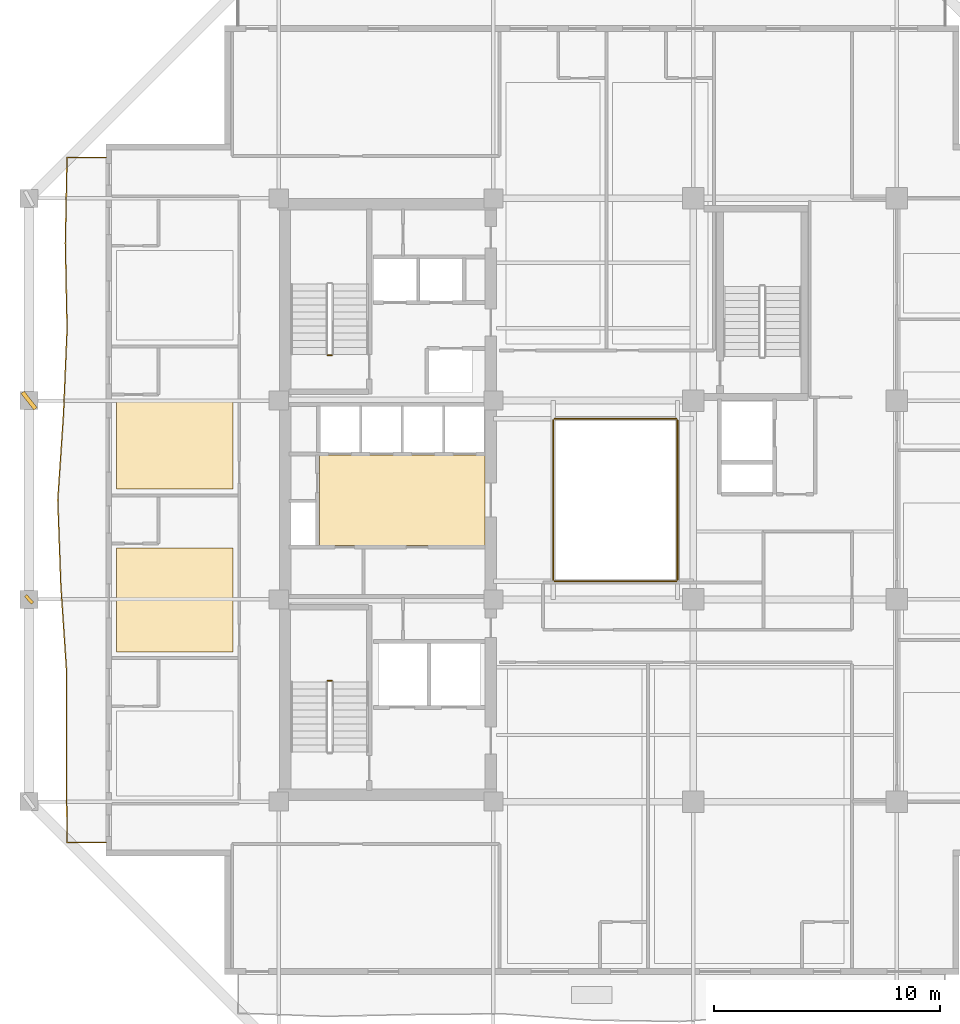
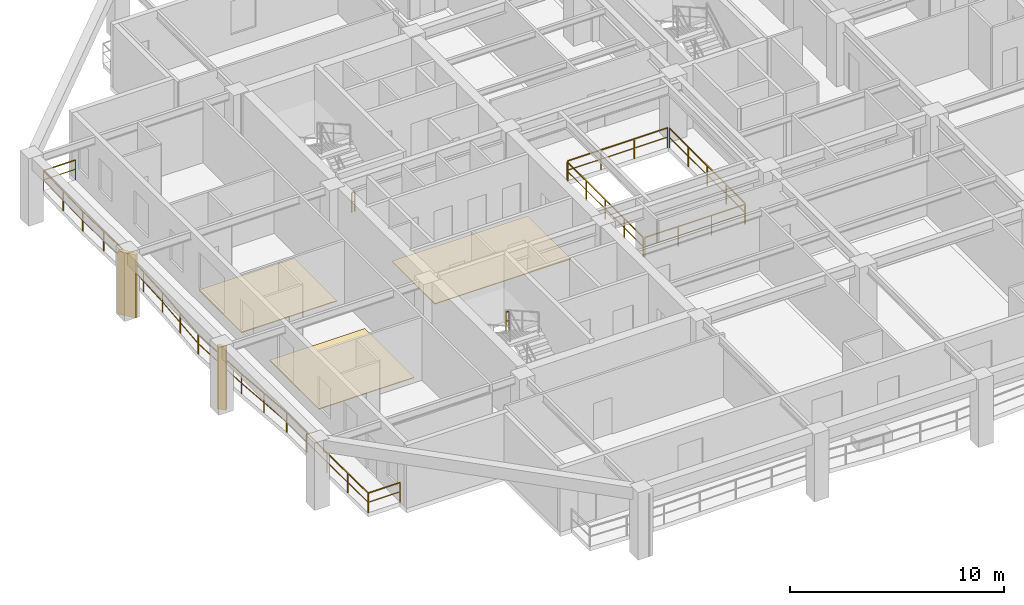
# One storey, part 9 of 13: 7 railings, 3 coverings, 2 shading devices.
"""IFC4 building model written with IfcOpenShell, lengths in metres."""

from ifc_helpers import new_model, si_unit, direction, frame, origin, origin_2d, place, context, subcontext, project, spatial, polyline, rectangle, outline, extrude, material, layer, layer_set, type_object, element, save


model = new_model("IFC4")

# Units and contexts
model_context = context("Model", 3, precision=1e-05, world=origin(), true_north=direction((0.0, 1.0)))
body_context = subcontext(model_context, "Body", "Model", "MODEL_VIEW")
ifc_project = project(units=[si_unit("LENGTHUNIT", "METRE"), si_unit("AREAUNIT", "SQUARE_METRE"), si_unit("VOLUMEUNIT", "CUBIC_METRE"), si_unit("PLANEANGLEUNIT", "RADIAN"), si_unit("MASSUNIT", "GRAM", prefix="KILO")], contexts=[model_context])

# Site, building, storey
site_placement = place(None, origin())
site = spatial("IfcSite", under=ifc_project, at=site_placement, CompositionType="ELEMENT")
building_placement = place(site_placement, origin())
building = spatial("IfcBuilding", under=site, at=building_placement, Name="Kundavana Baori Tower", CompositionType="ELEMENT")
storey_placement = place(building_placement, frame((0.0, 0.0, 169.449951171875)))
storey = spatial("IfcBuildingStorey", under=building, at=storey_placement, Name="L41", CompositionType="ELEMENT", Elevation=169.449951171875)

# Coverings
ifc_material_1 = material(Name="Honed Kota Stone and Terrazzo Flooring", Category="masonry")
ifc_layer = layer(ifc_material_1, 0.0400390625, Name="COV-FLR-TERR-40")
ifc_layer_set = layer_set([ifc_layer], Name="Honed Kota Stone and Terrazzo Flooring")
covering_type = type_object("IfcCoveringType", Name="COV-FLR-TERR-40", PredefinedType="FLOORING", material=ifc_layer_set)
covering_1_placement = place(storey_placement, origin())
element("IfcCovering", 1, at=covering_1_placement, inside=storey, type_object=covering_type, Name="L41 Room Finished Stone Flooring 2", PredefinedType="FLOORING", context=body_context, shape_type="SweptSolid", body=[
    extrude(outline(polyline([(8.280029296875, 21.8798828125), (13.419921875, 21.8798828125), (13.419921875, 26.469970703125), (8.280029296875, 26.469970703125), (8.280029296875, 21.8798828125)])), origin(), (0.0, 0.0, 1.0), 0.0400390625),
])
covering_2_placement = place(storey_placement, origin())
element("IfcCovering", 2, at=covering_2_placement, inside=storey, type_object=covering_type, Name="L41 Room Finished Stone Flooring 3", PredefinedType="FLOORING", context=body_context, shape_type="SweptSolid", body=[
    extrude(outline(polyline([(8.280029296875, 29.080078125), (13.419921875, 29.080078125), (13.419921875, 33.070068359375), (8.280029296875, 33.070068359375), (8.280029296875, 29.080078125)])), origin(), (0.0, 0.0, 1.0), 0.0400390625),
])
covering_3_placement = place(storey_placement, origin())
element("IfcCovering", 3, at=covering_3_placement, inside=storey, type_object=covering_type, Name="L41 Core Lift Lobby Kota Stone Flooring", PredefinedType="FLOORING", context=body_context, shape_type="SweptSolid", body=[
    extrude(outline(polyline([(17.25, 26.580078125), (24.580078125, 26.580078125), (24.580078125, 30.60009765625), (17.25, 30.60009765625), (17.25, 26.580078125)])), origin(), (0.0, 0.0, 1.0), 0.0400390625),
])

# Railings
ifc_material_2 = material(Name="Architectural Patinated Bronze Metalwork")
railing_type_1 = type_object("IfcRailingType", Name="RL-BAL-1150", PredefinedType="BALUSTRADE", material=ifc_material_2)
railing_1_placement = place(storey_placement, frame((7.800048828125, 13.449951171875, 0.0)))
element("IfcRailing", 4, at=railing_1_placement, inside=storey, type_object=railing_type_1, Name="L41 Loggia Balcony Balustrade W", PredefinedType="BALUSTRADE", context=body_context, shape_type="SweptSolid", body=[
    extrude(rectangle(XDim=0.048095703125, YDim=0.048095703125, at=origin_2d()), frame((0.0, 0.0, 1.1259765625), z_axis=(-1.0, 0.0, 0.0), x_axis=(0.0, -1.0, 0.0)), (0.0, 0.0, 1.0), 1.719970703125),
    extrude(rectangle(XDim=0.03125, YDim=0.03125, at=origin_2d()), frame((0.0, 0.0, 0.597900390625), z_axis=(-1.0, 0.0, 0.0), x_axis=(0.0, -1.0, 0.0)), (0.0, 0.0, 1.0), 1.719970703125),
    extrude(rectangle(XDim=0.048095703125, YDim=0.048095703125, at=origin_2d()), frame((-1.719970703125, 0.0, 1.1259765625), z_axis=(-0.008184825082, 0.999966503758, 0.0), x_axis=(-0.999966503758, -0.008184825082, 0.0)), (0.0, 0.0, 1.0), 3.788330078125),
    extrude(rectangle(XDim=0.03125, YDim=0.03125, at=origin_2d()), frame((-1.719970703125, 0.0, 0.597900390625), z_axis=(-0.008184825082, 0.999966503758, 0.0), x_axis=(-0.999966503758, -0.008184825082, 0.0)), (0.0, 0.0, 1.0), 3.788330078125),
    extrude(rectangle(XDim=0.048095703125, YDim=0.048095703125, at=origin_2d()), frame((-1.7509765625, 3.7880859375, 1.1259765625), z_axis=(0.00238539712, 0.999997154936, 0.0), x_axis=(-0.999997154936, 0.00238539712, 0.0)), (0.0, 0.0, 1.0), 3.786865234375),
    extrude(rectangle(XDim=0.03125, YDim=0.03125, at=origin_2d()), frame((-1.7509765625, 3.7880859375, 0.597900390625), z_axis=(0.00238539712, 0.999997154936, 0.0), x_axis=(-0.999997154936, 0.00238539712, 0.0)), (0.0, 0.0, 1.0), 3.786865234375),
    extrude(rectangle(XDim=0.048095703125, YDim=0.048095703125, at=origin_2d()), frame((-1.741943359375, 7.574951171875, 1.1259765625), z_axis=(-0.066446432666, 0.997789993729, 0.0), x_axis=(-0.997789993729, -0.066446432666, 0.0)), (0.0, 0.0, 1.0), 3.79541015625),
    extrude(rectangle(XDim=0.03125, YDim=0.03125, at=origin_2d()), frame((-1.741943359375, 7.574951171875, 0.597900390625), z_axis=(-0.066446432666, 0.997789993729, 0.0), x_axis=(-0.997789993729, -0.066446432666, 0.0)), (0.0, 0.0, 1.0), 3.79541015625),
    extrude(rectangle(XDim=0.048095703125, YDim=0.048095703125, at=origin_2d()), frame((-1.994140625, 11.362060546875, 1.1259765625), z_axis=(-0.035875318663, 0.999356273564, 0.0), x_axis=(-0.999356273564, -0.035875318663, 0.0)), (0.0, 0.0, 1.0), 3.79052734375),
    extrude(rectangle(XDim=0.03125, YDim=0.03125, at=origin_2d()), frame((-1.994140625, 11.362060546875, 0.597900390625), z_axis=(-0.035875318663, 0.999356273564, 0.0), x_axis=(-0.999356273564, -0.035875318663, 0.0)), (0.0, 0.0, 1.0), 3.79052734375),
    extrude(rectangle(XDim=0.048095703125, YDim=0.048095703125, at=origin_2d()), frame((-2.130126953125, 15.150146484375, 1.1259765625), z_axis=(0.06643364121, 0.997790845476, 0.0), x_axis=(-0.997790845476, 0.06643364121, 0.0)), (0.0, 0.0, 1.0), 3.796142578125),
    extrude(rectangle(XDim=0.03125, YDim=0.03125, at=origin_2d()), frame((-2.130126953125, 15.150146484375, 0.597900390625), z_axis=(0.06643364121, 0.997790845476, 0.0), x_axis=(-0.997790845476, 0.06643364121, 0.0)), (0.0, 0.0, 1.0), 3.796142578125),
    extrude(rectangle(XDim=0.048095703125, YDim=0.048095703125, at=origin_2d()), frame((-1.8779296875, 18.93798828125, 1.1259765625), z_axis=(0.041673410399, 0.999131286101, 0.0), x_axis=(-0.999131286101, 0.041673410399, 0.0)), (0.0, 0.0, 1.0), 3.790283203125),
    extrude(rectangle(XDim=0.03125, YDim=0.03125, at=origin_2d()), frame((-1.8779296875, 18.93798828125, 0.597900390625), z_axis=(0.041673410399, 0.999131286101, 0.0), x_axis=(-0.999131286101, 0.041673410399, 0.0)), (0.0, 0.0, 1.0), 3.790283203125),
    extrude(rectangle(XDim=0.048095703125, YDim=0.048095703125, at=origin_2d()), frame((-1.719970703125, 22.72509765625, 1.1259765625), z_axis=(-0.020110689253, 0.999797759638, 0.0), x_axis=(-0.999797759638, -0.020110689253, 0.0)), (0.0, 0.0, 1.0), 3.78759765625),
    extrude(rectangle(XDim=0.03125, YDim=0.03125, at=origin_2d()), frame((-1.719970703125, 22.72509765625, 0.597900390625), z_axis=(-0.020110689253, 0.999797759638, 0.0), x_axis=(-0.999797759638, -0.020110689253, 0.0)), (0.0, 0.0, 1.0), 3.78759765625),
    extrude(rectangle(XDim=0.048095703125, YDim=0.048095703125, at=origin_2d()), frame((-1.796142578125, 26.511962890625, 1.1259765625), z_axis=(0.020104211244, 0.999797889921, 0.0), x_axis=(-0.999797889921, 0.020104211244, 0.0)), (0.0, 0.0, 1.0), 3.788818359375),
    extrude(rectangle(XDim=0.03125, YDim=0.03125, at=origin_2d()), frame((-1.796142578125, 26.511962890625, 0.597900390625), z_axis=(0.020104211244, 0.999797889921, 0.0), x_axis=(-0.999797889921, 0.020104211244, 0.0)), (0.0, 0.0, 1.0), 3.788818359375),
    extrude(rectangle(XDim=0.048095703125, YDim=0.048095703125, at=origin_2d()), frame((-1.719970703125, 30.300048828125, 1.1259765625), z_axis=(1.0, 0.0, 0.0), x_axis=(0.0, 1.0, 0.0)), (0.0, 0.0, 1.0), 1.719970703125),
    extrude(rectangle(XDim=0.03125, YDim=0.03125, at=origin_2d()), frame((-1.719970703125, 30.300048828125, 0.597900390625), z_axis=(1.0, 0.0, 0.0), x_axis=(0.0, 1.0, 0.0)), (0.0, 0.0, 1.0), 1.719970703125),
    extrude(rectangle(XDim=0.0419921875, YDim=0.0419921875, at=origin_2d()), origin(), (0.0, 0.0, 1.0), 1.101806640625),
    extrude(rectangle(XDim=0.0419921875, YDim=0.0419921875, at=origin_2d()), frame((-1.719970703125, 0.0, 0.0)), (0.0, 0.0, 1.0), 1.101806640625),
    extrude(rectangle(XDim=0.0419921875, YDim=0.0419921875, at=origin_2d()), frame((-1.7353515625, 1.89404296875, 0.0)), (0.0, 0.0, 1.0), 1.101806640625),
    extrude(rectangle(XDim=0.0419921875, YDim=0.0419921875, at=origin_2d()), frame((-1.7509765625, 3.7880859375, 0.0)), (0.0, 0.0, 1.0), 1.101806640625),
    extrude(rectangle(XDim=0.0419921875, YDim=0.0419921875, at=origin_2d()), frame((-1.74658203125, 5.681640625, 0.0)), (0.0, 0.0, 1.0), 1.101806640625),
    extrude(rectangle(XDim=0.0419921875, YDim=0.0419921875, at=origin_2d()), frame((-1.741943359375, 7.574951171875, 0.0)), (0.0, 0.0, 1.0), 1.101806640625),
    extrude(rectangle(XDim=0.0419921875, YDim=0.0419921875, at=origin_2d()), frame((-1.8681640625, 9.468505859375, 0.0)), (0.0, 0.0, 1.0), 1.101806640625),
    extrude(rectangle(XDim=0.0419921875, YDim=0.0419921875, at=origin_2d()), frame((-1.994140625, 11.362060546875, 0.0)), (0.0, 0.0, 1.0), 1.101806640625),
    extrude(rectangle(XDim=0.0419921875, YDim=0.0419921875, at=origin_2d()), frame((-2.06201171875, 13.256103515625, 0.0)), (0.0, 0.0, 1.0), 1.101806640625),
    extrude(rectangle(XDim=0.0419921875, YDim=0.0419921875, at=origin_2d()), frame((-2.130126953125, 15.150146484375, 0.0)), (0.0, 0.0, 1.0), 1.101806640625),
    extrude(rectangle(XDim=0.0419921875, YDim=0.0419921875, at=origin_2d()), frame((-2.00390625, 17.0439453125, 0.0)), (0.0, 0.0, 1.0), 1.101806640625),
    extrude(rectangle(XDim=0.0419921875, YDim=0.0419921875, at=origin_2d()), frame((-1.8779296875, 18.93798828125, 0.0)), (0.0, 0.0, 1.0), 1.101806640625),
    extrude(rectangle(XDim=0.0419921875, YDim=0.0419921875, at=origin_2d()), frame((-1.798828125, 20.83154296875, 0.0)), (0.0, 0.0, 1.0), 1.101806640625),
    extrude(rectangle(XDim=0.0419921875, YDim=0.0419921875, at=origin_2d()), frame((-1.719970703125, 22.72509765625, 0.0)), (0.0, 0.0, 1.0), 1.101806640625),
    extrude(rectangle(XDim=0.0419921875, YDim=0.0419921875, at=origin_2d()), frame((-1.758056640625, 24.61865234375, 0.0)), (0.0, 0.0, 1.0), 1.101806640625),
    extrude(rectangle(XDim=0.0419921875, YDim=0.0419921875, at=origin_2d()), frame((-1.796142578125, 26.511962890625, 0.0)), (0.0, 0.0, 1.0), 1.101806640625),
    extrude(rectangle(XDim=0.0419921875, YDim=0.0419921875, at=origin_2d()), frame((-1.758056640625, 28.406005859375, 0.0)), (0.0, 0.0, 1.0), 1.101806640625),
    extrude(rectangle(XDim=0.0419921875, YDim=0.0419921875, at=origin_2d()), frame((-1.719970703125, 30.300048828125, 0.0)), (0.0, 0.0, 1.0), 1.101806640625),
    extrude(rectangle(XDim=0.0419921875, YDim=0.0419921875, at=origin_2d()), frame((0.0, 30.300048828125, 0.0)), (0.0, 0.0, 1.0), 1.101806640625),
])
ifc_material_3 = material(Name="Architectural Patinated Bronze Metalwork")
railing_type_2 = type_object("IfcRailingType", Name="RL-GRD-1150", PredefinedType="GUARDRAIL", material=ifc_material_3)
for number, where, name in (
    (5, (17.7900390625, 20.60009765625, 1.925048828125), "L41 ST1 stair guard 2"),
    (6, (17.7900390625, 35.0, 0.0), "L41 ST2 stair guard 4"),
):
    element("IfcRailing", number, at=place(storey_placement, frame(where)), inside=storey, type_object=railing_type_2, Name=name, PredefinedType="GUARDRAIL", context=body_context, shape_type="SweptSolid", body=[
        extrude(rectangle(XDim=0.048095703125, YDim=0.048095703125, at=origin_2d()), frame((0.0, 0.0, 1.1259765625), z_axis=(-1.0, 0.0, 0.0), x_axis=(0.0, -1.0, 0.0)), (0.0, 0.0, 1.0), 0.16015625),
        extrude(rectangle(XDim=0.03125, YDim=0.03125, at=origin_2d()), frame((0.0, 0.0, 0.597900390625), z_axis=(-1.0, 0.0, 0.0), x_axis=(0.0, -1.0, 0.0)), (0.0, 0.0, 1.0), 0.16015625),
        extrude(rectangle(XDim=0.0419921875, YDim=0.0419921875, at=origin_2d()), origin(), (0.0, 0.0, 1.0), 1.101806640625),
        extrude(rectangle(XDim=0.0419921875, YDim=0.0419921875, at=origin_2d()), frame((-0.16015625, 0.0, 0.0)), (0.0, 0.0, 1.0), 1.101806640625),
    ])
railing_2_placement = place(storey_placement, frame((27.659912109375, 25.0, 0.0)))
element("IfcRailing", 7, at=railing_2_placement, inside=storey, type_object=railing_type_2, Name="L41 Atrium Void Perimeter Guardrail S", PredefinedType="GUARDRAIL", context=body_context, shape_type="SweptSolid", body=[
    extrude(rectangle(XDim=0.048095703125, YDim=0.048095703125, at=origin_2d()), frame((0.0, 0.0, 1.1259765625), z_axis=(1.0, 0.0, 0.0), x_axis=(0.0, 1.0, 0.0)), (0.0, 0.0, 1.0), 5.380126953125),
    extrude(rectangle(XDim=0.03125, YDim=0.03125, at=origin_2d()), frame((0.0, 0.0, 0.597900390625), z_axis=(1.0, 0.0, 0.0), x_axis=(0.0, 1.0, 0.0)), (0.0, 0.0, 1.0), 5.380126953125),
    extrude(rectangle(XDim=0.0419921875, YDim=0.0419921875, at=origin_2d()), origin(), (0.0, 0.0, 1.0), 1.101806640625),
    extrude(rectangle(XDim=0.0419921875, YDim=0.0419921875, at=origin_2d()), frame((1.79345703125, 0.0, 0.0)), (0.0, 0.0, 1.0), 1.101806640625),
    extrude(rectangle(XDim=0.0419921875, YDim=0.0419921875, at=origin_2d()), frame((3.586669921875, 0.0, 0.0)), (0.0, 0.0, 1.0), 1.101806640625),
    extrude(rectangle(XDim=0.0419921875, YDim=0.0419921875, at=origin_2d()), frame((5.380126953125, 0.0, 0.0)), (0.0, 0.0, 1.0), 1.101806640625),
])
railing_3_placement = place(storey_placement, frame((33.10009765625, 25.06005859375, 0.0)))
element("IfcRailing", 8, at=railing_3_placement, inside=storey, type_object=railing_type_2, Name="L41 Atrium Void Perimeter Guardrail E", PredefinedType="GUARDRAIL", context=body_context, shape_type="SweptSolid", body=[
    extrude(rectangle(XDim=0.048095703125, YDim=0.048095703125, at=origin_2d()), frame((0.0, 0.0, 1.1259765625), z_axis=(0.0, 1.0, 0.0), x_axis=(-1.0, 0.0, 0.0)), (0.0, 0.0, 1.0), 7.079833984375),
    extrude(rectangle(XDim=0.03125, YDim=0.03125, at=origin_2d()), frame((0.0, 0.0, 0.597900390625), z_axis=(0.0, 1.0, 0.0), x_axis=(-1.0, 0.0, 0.0)), (0.0, 0.0, 1.0), 7.079833984375),
    extrude(rectangle(XDim=0.0419921875, YDim=0.0419921875, at=origin_2d()), origin(), (0.0, 0.0, 1.0), 1.101806640625),
    extrude(rectangle(XDim=0.0419921875, YDim=0.0419921875, at=origin_2d()), frame((0.0, 1.77001953125, 0.0)), (0.0, 0.0, 1.0), 1.101806640625),
    extrude(rectangle(XDim=0.0419921875, YDim=0.0419921875, at=origin_2d()), frame((0.0, 3.5400390625, 0.0)), (0.0, 0.0, 1.0), 1.101806640625),
    extrude(rectangle(XDim=0.0419921875, YDim=0.0419921875, at=origin_2d()), frame((0.0, 5.309814453125, 0.0)), (0.0, 0.0, 1.0), 1.101806640625),
    extrude(rectangle(XDim=0.0419921875, YDim=0.0419921875, at=origin_2d()), frame((0.0, 7.079833984375, 0.0)), (0.0, 0.0, 1.0), 1.101806640625),
])
railing_4_placement = place(storey_placement, frame((33.0400390625, 32.199951171875, 0.0)))
element("IfcRailing", 9, at=railing_4_placement, inside=storey, type_object=railing_type_2, Name="L41 Atrium Void Perimeter Guardrail N", PredefinedType="GUARDRAIL", context=body_context, shape_type="SweptSolid", body=[
    extrude(rectangle(XDim=0.048095703125, YDim=0.048095703125, at=origin_2d()), frame((0.0, 0.0, 1.1259765625), z_axis=(-1.0, 0.0, 0.0), x_axis=(0.0, -1.0, 0.0)), (0.0, 0.0, 1.0), 5.380126953125),
    extrude(rectangle(XDim=0.03125, YDim=0.03125, at=origin_2d()), frame((0.0, 0.0, 0.597900390625), z_axis=(-1.0, 0.0, 0.0), x_axis=(0.0, -1.0, 0.0)), (0.0, 0.0, 1.0), 5.380126953125),
    extrude(rectangle(XDim=0.0419921875, YDim=0.0419921875, at=origin_2d()), origin(), (0.0, 0.0, 1.0), 1.101806640625),
    extrude(rectangle(XDim=0.0419921875, YDim=0.0419921875, at=origin_2d()), frame((-1.79345703125, 0.0, 0.0)), (0.0, 0.0, 1.0), 1.101806640625),
    extrude(rectangle(XDim=0.0419921875, YDim=0.0419921875, at=origin_2d()), frame((-3.586669921875, 0.0, 0.0)), (0.0, 0.0, 1.0), 1.101806640625),
    extrude(rectangle(XDim=0.0419921875, YDim=0.0419921875, at=origin_2d()), frame((-5.380126953125, 0.0, 0.0)), (0.0, 0.0, 1.0), 1.101806640625),
])
railing_5_placement = place(storey_placement, frame((27.60009765625, 32.139892578125, 0.0)))
element("IfcRailing", 10, at=railing_5_placement, inside=storey, type_object=railing_type_2, Name="L41 Atrium Void Perimeter Guardrail W", PredefinedType="GUARDRAIL", context=body_context, shape_type="SweptSolid", body=[
    extrude(rectangle(XDim=0.048095703125, YDim=0.048095703125, at=origin_2d()), frame((0.0, 0.0, 1.1259765625), z_axis=(0.0, -1.0, 0.0), x_axis=(1.0, 0.0, 0.0)), (0.0, 0.0, 1.0), 7.079833984375),
    extrude(rectangle(XDim=0.03125, YDim=0.03125, at=origin_2d()), frame((0.0, 0.0, 0.597900390625), z_axis=(0.0, -1.0, 0.0), x_axis=(1.0, 0.0, 0.0)), (0.0, 0.0, 1.0), 7.079833984375),
    extrude(rectangle(XDim=0.0419921875, YDim=0.0419921875, at=origin_2d()), origin(), (0.0, 0.0, 1.0), 1.101806640625),
    extrude(rectangle(XDim=0.0419921875, YDim=0.0419921875, at=origin_2d()), frame((0.0, -1.77001953125, 0.0)), (0.0, 0.0, 1.0), 1.101806640625),
    extrude(rectangle(XDim=0.0419921875, YDim=0.0419921875, at=origin_2d()), frame((0.0, -3.5400390625, 0.0)), (0.0, 0.0, 1.0), 1.101806640625),
    extrude(rectangle(XDim=0.0419921875, YDim=0.0419921875, at=origin_2d()), frame((0.0, -5.309814453125, 0.0)), (0.0, 0.0, 1.0), 1.101806640625),
    extrude(rectangle(XDim=0.0419921875, YDim=0.0419921875, at=origin_2d()), frame((0.0, -7.079833984375, 0.0)), (0.0, 0.0, 1.0), 1.101806640625),
])

# Shading devices
ifc_material_4 = material(Name="Red-Buff Dholpur Sandstone Cladding on Concrete C40/50", Category="masonry")
shading_device_type_1 = type_object("IfcShadingDeviceType", Name="SHD-FIN-920", PredefinedType="JALOUSIE", material=ifc_material_4)
shading_device_1_placement = place(storey_placement, frame((4.39990234375, 33.0, 0.0), z_axis=(0.0, 0.0, 1.0), x_axis=(0.78822561199, 0.615386370179, 0.0)))
element("IfcShadingDevice", 11, at=shading_device_1_placement, inside=storey, type_object=shading_device_type_1, Name="L41 Sweeping Dholpur Sandstone Facade Fin 7", PredefinedType="JALOUSIE", context=body_context, shape_type="SweptSolid", body=[
    extrude(rectangle(XDim=0.179931640625, YDim=0.919921875, at=origin_2d()), origin(), (0.0, 0.0, 1.0), 3.60009765625),
])
ifc_material_5 = material(Name="Architectural Patinated Bronze Metalwork")
shading_device_type_2 = type_object("IfcShadingDeviceType", Name="SHD-LOUV-450", PredefinedType="SHUTTER", material=ifc_material_5)
shading_device_2_placement = place(storey_placement, frame((4.39990234375, 24.199951171875, 0.0), z_axis=(0.0, 0.0, 1.0), x_axis=(0.743378350842, 0.668871159118, 0.0)))
element("IfcShadingDevice", 12, at=shading_device_2_placement, inside=storey, type_object=shading_device_type_2, Name="L41 Sweeping Dholpur Sandstone Facade Fin 6", PredefinedType="SHUTTER", context=body_context, shape_type="SweptSolid", body=[
    extrude(rectangle(XDim=0.139892578125, YDim=0.449951171875, at=origin_2d()), origin(), (0.0, 0.0, 1.0), 3.60009765625),
])

save(model, "model.ifc")
